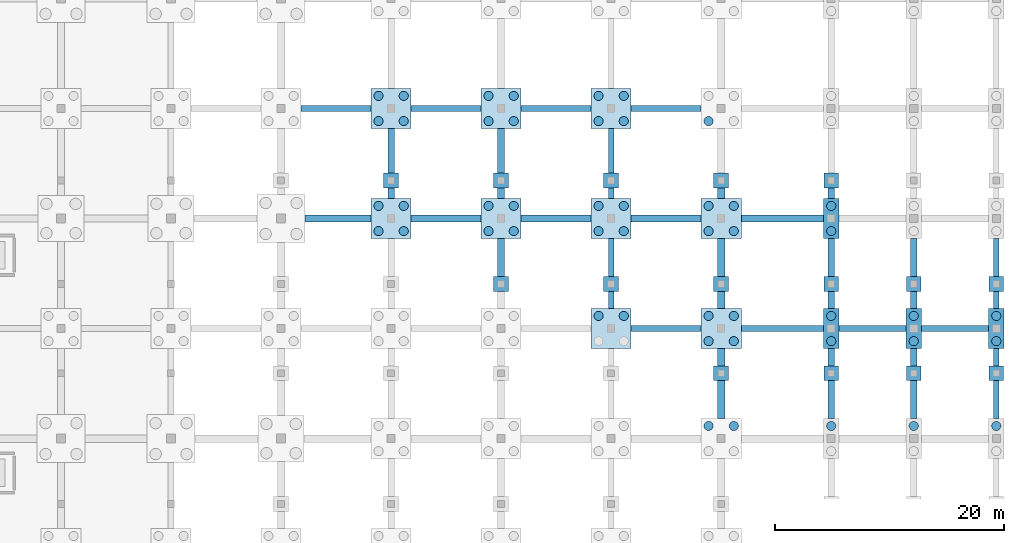
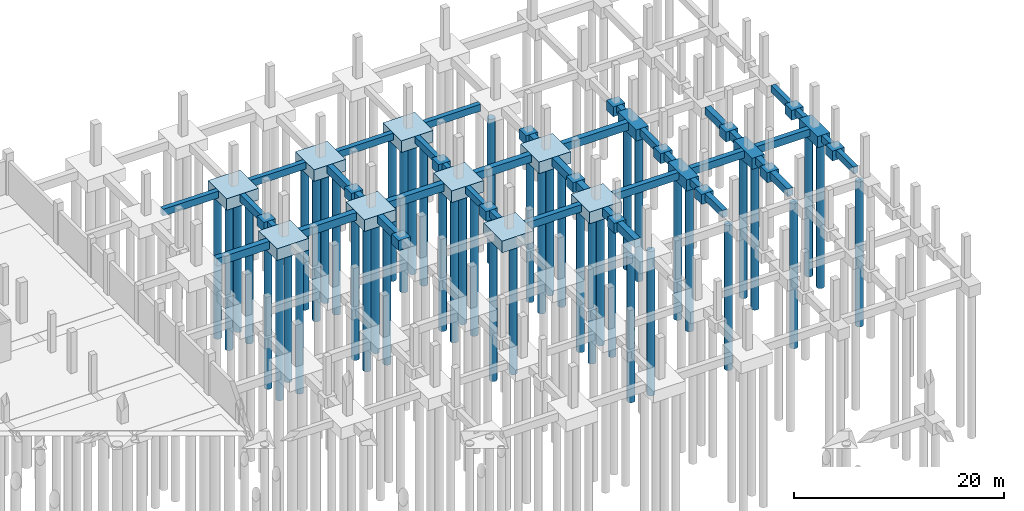
# One storey, part 15 of 39: 68 footings, 48 piles.
"""IFC4 building model written with IfcOpenShell, lengths in metres."""

from ifc_helpers import new_model, si_unit, direction, frame, origin, origin_2d, place, context, subcontext, project, spatial, polyline, rectangle, circle, outline, extrude, material, material_profile, profile_set, type_object, element, save


model = new_model("IFC4")

# Units and contexts
model_context = context("Model", 3, precision=1e-05, world=origin(), true_north=direction((0.0, 1.0)))
body_context = subcontext(model_context, "Body", "Model", "MODEL_VIEW")
ifc_project = project(units=[si_unit("LENGTHUNIT", "METRE"), si_unit("AREAUNIT", "SQUARE_METRE"), si_unit("VOLUMEUNIT", "CUBIC_METRE"), si_unit("PLANEANGLEUNIT", "RADIAN"), si_unit("MASSUNIT", "GRAM", prefix="KILO")], contexts=[model_context])

# Site, building, storey
site_placement = place(None, origin())
site = spatial("IfcSite", under=ifc_project, at=site_placement, CompositionType="ELEMENT")
building_placement = place(site_placement, origin())
building = spatial("IfcBuilding", under=site, at=building_placement, Name="Zarnetskaya Central Station", CompositionType="ELEMENT")
storey_placement = place(building_placement, frame((0.0, 0.0, -4.800048828125)))
storey = spatial("IfcBuildingStorey", under=building, at=storey_placement, Name="B1", CompositionType="ELEMENT", Elevation=-4.800048828125)

# Footings
ifc_material_1 = material(Name="Concrete C30/37", Category="concrete")
footing_type_1 = type_object("IfcFootingType", Name="FB-500x800", PredefinedType="FOOTING_BEAM", material=ifc_material_1)
footing_1_placement = place(storey_placement, frame((0.0, 0.0, -0.800048828125)))
element("IfcFooting", 1, at=footing_1_placement, inside=storey, type_object=footing_type_1, Name="Footing tie beam 14 P-Q", PredefinedType="FOOTING_BEAM", context=body_context, shape_type="SweptSolid", body=[
    extrude(outline(polyline([(126.550048828125, 114.949951171875), (132.64990234375, 114.949951171875), (132.64990234375, 115.449951171875), (126.550048828125, 115.449951171875), (126.550048828125, 114.949951171875)])), origin(), (0.0, 0.0, 1.0), 0.800048828125),
])
footing_2_placement = place(storey_placement, frame((0.0, 0.0, -0.800048828125)))
element("IfcFooting", 2, at=footing_2_placement, inside=storey, type_object=footing_type_1, Name="Footing tie beam 14 Q-R", PredefinedType="FOOTING_BEAM", context=body_context, shape_type="SweptSolid", body=[
    extrude(outline(polyline([(136.14990234375, 114.949951171875), (142.25, 114.949951171875), (142.25, 115.449951171875), (136.14990234375, 115.449951171875), (136.14990234375, 114.949951171875)])), origin(), (0.0, 0.0, 1.0), 0.800048828125),
])
footing_3_placement = place(storey_placement, frame((0.0, 0.0, -0.800048828125)))
element("IfcFooting", 3, at=footing_3_placement, inside=storey, type_object=footing_type_1, Name="Footing tie beam 14 R-S", PredefinedType="FOOTING_BEAM", context=body_context, shape_type="SweptSolid", body=[
    extrude(outline(polyline([(145.75, 114.949951171875), (151.85009765625, 114.949951171875), (151.85009765625, 115.449951171875), (145.75, 115.449951171875), (145.75, 114.949951171875)])), origin(), (0.0, 0.0, 1.0), 0.800048828125),
])
footing_4_placement = place(storey_placement, frame((0.0, 0.0, -0.800048828125)))
element("IfcFooting", 4, at=footing_4_placement, inside=storey, type_object=footing_type_1, Name="Footing tie beam 14 S-T", PredefinedType="FOOTING_BEAM", context=body_context, shape_type="SweptSolid", body=[
    extrude(outline(polyline([(155.35009765625, 114.949951171875), (161.449951171875, 114.949951171875), (161.449951171875, 115.449951171875), (155.35009765625, 115.449951171875), (155.35009765625, 114.949951171875)])), origin(), (0.0, 0.0, 1.0), 0.800048828125),
])
footing_5_placement = place(storey_placement, frame((0.0, 0.0, -0.800048828125)))
element("IfcFooting", 5, at=footing_5_placement, inside=storey, type_object=footing_type_1, Name="Footing tie beam S 12-13 part 1", PredefinedType="FOOTING_BEAM", context=body_context, shape_type="SweptSolid", body=[
    extrude(outline(polyline([(153.35009765625, 97.75), (153.85009765625, 97.75), (153.85009765625, 99.25), (153.35009765625, 99.25), (153.35009765625, 97.75)])), origin(), (0.0, 0.0, 1.0), 0.800048828125),
])
footing_6_placement = place(storey_placement, frame((0.0, 0.0, -0.800048828125)))
element("IfcFooting", 6, at=footing_6_placement, inside=storey, type_object=footing_type_1, Name="Footing tie beam S 12-13 part 2", PredefinedType="FOOTING_BEAM", context=body_context, shape_type="SweptSolid", body=[
    extrude(outline(polyline([(153.35009765625, 100.550048828125), (153.85009765625, 100.550048828125), (153.85009765625, 103.85009765625), (153.35009765625, 103.85009765625), (153.35009765625, 100.550048828125)])), origin(), (0.0, 0.0, 1.0), 0.800048828125),
])
footing_7_placement = place(storey_placement, frame((0.0, 0.0, -0.800048828125)))
element("IfcFooting", 7, at=footing_7_placement, inside=storey, type_object=footing_type_1, Name="Footing tie beam S 13-14 part 1", PredefinedType="FOOTING_BEAM", context=body_context, shape_type="SweptSolid", body=[
    extrude(outline(polyline([(153.35009765625, 107.35009765625), (153.85009765625, 107.35009765625), (153.85009765625, 108.25), (153.35009765625, 108.25), (153.35009765625, 107.35009765625)])), origin(), (0.0, 0.0, 1.0), 0.800048828125),
])
footing_8_placement = place(storey_placement, frame((0.0, 0.0, -0.800048828125)))
element("IfcFooting", 8, at=footing_8_placement, inside=storey, type_object=footing_type_1, Name="Footing tie beam S 13-14 part 2", PredefinedType="FOOTING_BEAM", context=body_context, shape_type="SweptSolid", body=[
    extrude(outline(polyline([(153.35009765625, 109.550048828125), (153.85009765625, 109.550048828125), (153.85009765625, 113.449951171875), (153.35009765625, 113.449951171875), (153.35009765625, 109.550048828125)])), origin(), (0.0, 0.0, 1.0), 0.800048828125),
])
footing_9_placement = place(storey_placement, frame((0.0, 0.0, -0.800048828125)))
element("IfcFooting", 9, at=footing_9_placement, inside=storey, type_object=footing_type_1, Name="Footing tie beam W 11-12 part 1", PredefinedType="FOOTING_BEAM", context=body_context, shape_type="SweptSolid", body=[
    extrude(outline(polyline([(186.949951171875, 88.14990234375), (187.449951171875, 88.14990234375), (187.449951171875, 91.449951171875), (186.949951171875, 91.449951171875), (186.949951171875, 88.14990234375)])), origin(), (0.0, 0.0, 1.0), 0.800048828125),
])
footing_10_placement = place(storey_placement, frame((0.0, 0.0, -0.800048828125)))
element("IfcFooting", 10, at=footing_10_placement, inside=storey, type_object=footing_type_1, Name="Footing tie beam W 11-12 part 2", PredefinedType="FOOTING_BEAM", context=body_context, shape_type="SweptSolid", body=[
    extrude(outline(polyline([(186.949951171875, 92.75), (187.449951171875, 92.75), (187.449951171875, 94.25), (186.949951171875, 94.25), (186.949951171875, 92.75)])), origin(), (0.0, 0.0, 1.0), 0.800048828125),
])
footing_11_placement = place(storey_placement, frame((0.0, 0.0, -0.800048828125)))
element("IfcFooting", 11, at=footing_11_placement, inside=storey, type_object=footing_type_1, Name="Footing tie beam W 12-13 part 1", PredefinedType="FOOTING_BEAM", context=body_context, shape_type="SweptSolid", body=[
    extrude(outline(polyline([(186.949951171875, 97.75), (187.449951171875, 97.75), (187.449951171875, 99.25), (186.949951171875, 99.25), (186.949951171875, 97.75)])), origin(), (0.0, 0.0, 1.0), 0.800048828125),
])
footing_12_placement = place(storey_placement, frame((0.0, 0.0, -0.800048828125)))
element("IfcFooting", 12, at=footing_12_placement, inside=storey, type_object=footing_type_1, Name="Footing tie beam W 12-13 part 2", PredefinedType="FOOTING_BEAM", context=body_context, shape_type="SweptSolid", body=[
    extrude(outline(polyline([(186.949951171875, 100.550048828125), (187.449951171875, 100.550048828125), (187.449951171875, 103.85009765625), (186.949951171875, 103.85009765625), (186.949951171875, 100.550048828125)])), origin(), (0.0, 0.0, 1.0), 0.800048828125),
])
footing_type_2 = type_object("IfcFootingType", Name="FB-550x850", PredefinedType="FOOTING_BEAM", material=ifc_material_1)
footing_13_placement = place(storey_placement, frame((0.0, 0.0, -0.849853515625)))
element("IfcFooting", 13, at=footing_13_placement, inside=storey, type_object=footing_type_2, Name="Footing tie beam 12 S-T", PredefinedType="FOOTING_BEAM", context=body_context, shape_type="SweptSolid", body=[
    extrude(outline(polyline([(155.35009765625, 95.72509765625), (161.449951171875, 95.72509765625), (161.449951171875, 96.27490234375), (155.35009765625, 96.27490234375), (155.35009765625, 95.72509765625)])), origin(), (0.0, 0.0, 1.0), 0.849853515625),
])
footing_14_placement = place(storey_placement, frame((0.0, 0.0, -0.849853515625)))
element("IfcFooting", 14, at=footing_14_placement, inside=storey, type_object=footing_type_2, Name="Footing tie beam 12 T-U", PredefinedType="FOOTING_BEAM", context=body_context, shape_type="SweptSolid", body=[
    extrude(outline(polyline([(164.949951171875, 95.72509765625), (172.125, 95.72509765625), (172.125, 96.27490234375), (164.949951171875, 96.27490234375), (164.949951171875, 95.72509765625)])), origin(), (0.0, 0.0, 1.0), 0.849853515625),
])
footing_15_placement = place(storey_placement, frame((0.0, 0.0, -0.849853515625)))
element("IfcFooting", 15, at=footing_15_placement, inside=storey, type_object=footing_type_2, Name="Footing tie beam 12 U-V", PredefinedType="FOOTING_BEAM", context=body_context, shape_type="SweptSolid", body=[
    extrude(outline(polyline([(173.47509765625, 95.72509765625), (179.324951171875, 95.72509765625), (179.324951171875, 96.27490234375), (173.47509765625, 96.27490234375), (173.47509765625, 95.72509765625)])), origin(), (0.0, 0.0, 1.0), 0.849853515625),
])
footing_16_placement = place(storey_placement, frame((0.0, 0.0, -0.849853515625)))
element("IfcFooting", 16, at=footing_16_placement, inside=storey, type_object=footing_type_2, Name="Footing tie beam 12 V-W", PredefinedType="FOOTING_BEAM", context=body_context, shape_type="SweptSolid", body=[
    extrude(outline(polyline([(180.675048828125, 95.72509765625), (186.52490234375, 95.72509765625), (186.52490234375, 96.27490234375), (180.675048828125, 96.27490234375), (180.675048828125, 95.72509765625)])), origin(), (0.0, 0.0, 1.0), 0.849853515625),
])
footing_17_placement = place(storey_placement, frame((0.0, 0.0, -0.849853515625)))
element("IfcFooting", 17, at=footing_17_placement, inside=storey, type_object=footing_type_2, Name="Footing tie beam Q 13-14 part 1", PredefinedType="FOOTING_BEAM", context=body_context, shape_type="SweptSolid", body=[
    extrude(outline(polyline([(134.125, 107.35009765625), (134.675048828125, 107.35009765625), (134.675048828125, 108.25), (134.125, 108.25), (134.125, 107.35009765625)])), origin(), (0.0, 0.0, 1.0), 0.849853515625),
])
footing_18_placement = place(storey_placement, frame((0.0, 0.0, -0.849853515625)))
element("IfcFooting", 18, at=footing_18_placement, inside=storey, type_object=footing_type_2, Name="Footing tie beam Q 13-14 part 2", PredefinedType="FOOTING_BEAM", context=body_context, shape_type="SweptSolid", body=[
    extrude(outline(polyline([(134.125, 109.550048828125), (134.675048828125, 109.550048828125), (134.675048828125, 113.449951171875), (134.125, 113.449951171875), (134.125, 109.550048828125)])), origin(), (0.0, 0.0, 1.0), 0.849853515625),
])
footing_19_placement = place(storey_placement, frame((0.0, 0.0, -0.849853515625)))
element("IfcFooting", 19, at=footing_19_placement, inside=storey, type_object=footing_type_2, Name="Footing tie beam U 11-12 part 1", PredefinedType="FOOTING_BEAM", context=body_context, shape_type="SweptSolid", body=[
    extrude(outline(polyline([(172.52490234375, 88.14990234375), (173.074951171875, 88.14990234375), (173.074951171875, 91.449951171875), (172.52490234375, 91.449951171875), (172.52490234375, 88.14990234375)])), origin(), (0.0, 0.0, 1.0), 0.849853515625),
])
footing_20_placement = place(storey_placement, frame((0.0, 0.0, -0.849853515625)))
element("IfcFooting", 20, at=footing_20_placement, inside=storey, type_object=footing_type_2, Name="Footing tie beam U 11-12 part 2", PredefinedType="FOOTING_BEAM", context=body_context, shape_type="SweptSolid", body=[
    extrude(outline(polyline([(172.52490234375, 92.75), (173.074951171875, 92.75), (173.074951171875, 94.25), (172.52490234375, 94.25), (172.52490234375, 92.75)])), origin(), (0.0, 0.0, 1.0), 0.849853515625),
])
footing_21_placement = place(storey_placement, frame((0.0, 0.0, -0.849853515625)))
element("IfcFooting", 21, at=footing_21_placement, inside=storey, type_object=footing_type_2, Name="Footing tie beam U 12-13 part 1", PredefinedType="FOOTING_BEAM", context=body_context, shape_type="SweptSolid", body=[
    extrude(outline(polyline([(172.52490234375, 97.75), (173.074951171875, 97.75), (173.074951171875, 99.25), (172.52490234375, 99.25), (172.52490234375, 97.75)])), origin(), (0.0, 0.0, 1.0), 0.849853515625),
])
footing_22_placement = place(storey_placement, frame((0.0, 0.0, -0.849853515625)))
element("IfcFooting", 22, at=footing_22_placement, inside=storey, type_object=footing_type_2, Name="Footing tie beam U 12-13 part 2", PredefinedType="FOOTING_BEAM", context=body_context, shape_type="SweptSolid", body=[
    extrude(outline(polyline([(172.52490234375, 100.550048828125), (173.074951171875, 100.550048828125), (173.074951171875, 103.85009765625), (172.52490234375, 103.85009765625), (172.52490234375, 100.550048828125)])), origin(), (0.0, 0.0, 1.0), 0.849853515625),
])
footing_23_placement = place(storey_placement, frame((0.0, 0.0, -0.849853515625)))
element("IfcFooting", 23, at=footing_23_placement, inside=storey, type_object=footing_type_2, Name="Footing tie beam U 13-14 part 1", PredefinedType="FOOTING_BEAM", context=body_context, shape_type="SweptSolid", body=[
    extrude(outline(polyline([(172.52490234375, 107.35009765625), (173.074951171875, 107.35009765625), (173.074951171875, 108.25), (172.52490234375, 108.25), (172.52490234375, 107.35009765625)])), origin(), (0.0, 0.0, 1.0), 0.849853515625),
])
footing_type_3 = type_object("IfcFootingType", Name="FB-600x900", PredefinedType="FOOTING_BEAM", material=ifc_material_1)
footing_24_placement = place(storey_placement, frame((0.0, 0.0, -0.89990234375)))
element("IfcFooting", 24, at=footing_24_placement, inside=storey, type_object=footing_type_3, Name="Footing tie beam 13 P-Q", PredefinedType="FOOTING_BEAM", context=body_context, shape_type="SweptSolid", body=[
    extrude(outline(polyline([(126.89990234375, 105.300048828125), (132.64990234375, 105.300048828125), (132.64990234375, 105.89990234375), (126.89990234375, 105.89990234375), (126.89990234375, 105.300048828125)])), origin(), (0.0, 0.0, 1.0), 0.89990234375),
])
footing_25_placement = place(storey_placement, frame((0.0, 0.0, -0.89990234375)))
element("IfcFooting", 25, at=footing_25_placement, inside=storey, type_object=footing_type_3, Name="Footing tie beam 13 Q-R", PredefinedType="FOOTING_BEAM", context=body_context, shape_type="SweptSolid", body=[
    extrude(outline(polyline([(136.14990234375, 105.300048828125), (142.25, 105.300048828125), (142.25, 105.89990234375), (136.14990234375, 105.89990234375), (136.14990234375, 105.300048828125)])), origin(), (0.0, 0.0, 1.0), 0.89990234375),
])
footing_26_placement = place(storey_placement, frame((0.0, 0.0, -0.89990234375)))
element("IfcFooting", 26, at=footing_26_placement, inside=storey, type_object=footing_type_3, Name="Footing tie beam 13 R-S", PredefinedType="FOOTING_BEAM", context=body_context, shape_type="SweptSolid", body=[
    extrude(outline(polyline([(145.75, 105.300048828125), (151.85009765625, 105.300048828125), (151.85009765625, 105.89990234375), (145.75, 105.89990234375), (145.75, 105.300048828125)])), origin(), (0.0, 0.0, 1.0), 0.89990234375),
])
footing_27_placement = place(storey_placement, frame((0.0, 0.0, -0.89990234375)))
element("IfcFooting", 27, at=footing_27_placement, inside=storey, type_object=footing_type_3, Name="Footing tie beam 13 S-T", PredefinedType="FOOTING_BEAM", context=body_context, shape_type="SweptSolid", body=[
    extrude(outline(polyline([(155.35009765625, 105.300048828125), (161.449951171875, 105.300048828125), (161.449951171875, 105.89990234375), (155.35009765625, 105.89990234375), (155.35009765625, 105.300048828125)])), origin(), (0.0, 0.0, 1.0), 0.89990234375),
])
footing_28_placement = place(storey_placement, frame((0.0, 0.0, -0.89990234375)))
element("IfcFooting", 28, at=footing_28_placement, inside=storey, type_object=footing_type_3, Name="Footing tie beam 13 T-U", PredefinedType="FOOTING_BEAM", context=body_context, shape_type="SweptSolid", body=[
    extrude(outline(polyline([(164.949951171875, 105.300048828125), (172.125, 105.300048828125), (172.125, 105.89990234375), (164.949951171875, 105.89990234375), (164.949951171875, 105.300048828125)])), origin(), (0.0, 0.0, 1.0), 0.89990234375),
])
footing_29_placement = place(storey_placement, frame((0.0, 0.0, -0.89990234375)))
element("IfcFooting", 29, at=footing_29_placement, inside=storey, type_object=footing_type_3, Name="Footing tie beam R 12-13 part 2", PredefinedType="FOOTING_BEAM", context=body_context, shape_type="SweptSolid", body=[
    extrude(outline(polyline([(143.699951171875, 100.550048828125), (144.300048828125, 100.550048828125), (144.300048828125, 103.85009765625), (143.699951171875, 103.85009765625), (143.699951171875, 100.550048828125)])), origin(), (0.0, 0.0, 1.0), 0.89990234375),
])
footing_30_placement = place(storey_placement, frame((0.0, 0.0, -0.89990234375)))
element("IfcFooting", 30, at=footing_30_placement, inside=storey, type_object=footing_type_3, Name="Footing tie beam R 13-14 part 1", PredefinedType="FOOTING_BEAM", context=body_context, shape_type="SweptSolid", body=[
    extrude(outline(polyline([(143.699951171875, 107.35009765625), (144.300048828125, 107.35009765625), (144.300048828125, 108.25), (143.699951171875, 108.25), (143.699951171875, 107.35009765625)])), origin(), (0.0, 0.0, 1.0), 0.89990234375),
])
footing_31_placement = place(storey_placement, frame((0.0, 0.0, -0.89990234375)))
element("IfcFooting", 31, at=footing_31_placement, inside=storey, type_object=footing_type_3, Name="Footing tie beam R 13-14 part 2", PredefinedType="FOOTING_BEAM", context=body_context, shape_type="SweptSolid", body=[
    extrude(outline(polyline([(143.699951171875, 109.550048828125), (144.300048828125, 109.550048828125), (144.300048828125, 113.449951171875), (143.699951171875, 113.449951171875), (143.699951171875, 109.550048828125)])), origin(), (0.0, 0.0, 1.0), 0.89990234375),
])
footing_32_placement = place(storey_placement, frame((0.0, 0.0, -0.89990234375)))
element("IfcFooting", 32, at=footing_32_placement, inside=storey, type_object=footing_type_3, Name="Footing tie beam V 11-12 part 1", PredefinedType="FOOTING_BEAM", context=body_context, shape_type="SweptSolid", body=[
    extrude(outline(polyline([(179.699951171875, 88.14990234375), (180.300048828125, 88.14990234375), (180.300048828125, 91.449951171875), (179.699951171875, 91.449951171875), (179.699951171875, 88.14990234375)])), origin(), (0.0, 0.0, 1.0), 0.89990234375),
])
footing_33_placement = place(storey_placement, frame((0.0, 0.0, -0.89990234375)))
element("IfcFooting", 33, at=footing_33_placement, inside=storey, type_object=footing_type_3, Name="Footing tie beam V 11-12 part 2", PredefinedType="FOOTING_BEAM", context=body_context, shape_type="SweptSolid", body=[
    extrude(outline(polyline([(179.699951171875, 92.75), (180.300048828125, 92.75), (180.300048828125, 94.25), (179.699951171875, 94.25), (179.699951171875, 92.75)])), origin(), (0.0, 0.0, 1.0), 0.89990234375),
])
footing_34_placement = place(storey_placement, frame((0.0, 0.0, -0.89990234375)))
element("IfcFooting", 34, at=footing_34_placement, inside=storey, type_object=footing_type_3, Name="Footing tie beam V 12-13 part 1", PredefinedType="FOOTING_BEAM", context=body_context, shape_type="SweptSolid", body=[
    extrude(outline(polyline([(179.699951171875, 97.75), (180.300048828125, 97.75), (180.300048828125, 99.25), (179.699951171875, 99.25), (179.699951171875, 97.75)])), origin(), (0.0, 0.0, 1.0), 0.89990234375),
])
footing_35_placement = place(storey_placement, frame((0.0, 0.0, -0.89990234375)))
element("IfcFooting", 35, at=footing_35_placement, inside=storey, type_object=footing_type_3, Name="Footing tie beam V 12-13 part 2", PredefinedType="FOOTING_BEAM", context=body_context, shape_type="SweptSolid", body=[
    extrude(outline(polyline([(179.699951171875, 100.550048828125), (180.300048828125, 100.550048828125), (180.300048828125, 103.85009765625), (179.699951171875, 103.85009765625), (179.699951171875, 100.550048828125)])), origin(), (0.0, 0.0, 1.0), 0.89990234375),
])
footing_type_4 = type_object("IfcFootingType", Name="FB-650x950", PredefinedType="FOOTING_BEAM", material=ifc_material_1)
footing_36_placement = place(storey_placement, frame((0.0, 0.0, -0.949951171875)))
element("IfcFooting", 36, at=footing_36_placement, inside=storey, type_object=footing_type_4, Name="Footing tie beam T 11-12 part 1", PredefinedType="FOOTING_BEAM", context=body_context, shape_type="SweptSolid", body=[
    extrude(outline(polyline([(162.875, 88.14990234375), (163.52490234375, 88.14990234375), (163.52490234375, 91.449951171875), (162.875, 91.449951171875), (162.875, 88.14990234375)])), origin(), (0.0, 0.0, 1.0), 0.949951171875),
])
footing_37_placement = place(storey_placement, frame((0.0, 0.0, -0.949951171875)))
element("IfcFooting", 37, at=footing_37_placement, inside=storey, type_object=footing_type_4, Name="Footing tie beam T 11-12 part 2", PredefinedType="FOOTING_BEAM", context=body_context, shape_type="SweptSolid", body=[
    extrude(outline(polyline([(162.875, 92.75), (163.52490234375, 92.75), (163.52490234375, 94.25), (162.875, 94.25), (162.875, 92.75)])), origin(), (0.0, 0.0, 1.0), 0.949951171875),
])
footing_38_placement = place(storey_placement, frame((0.0, 0.0, -0.949951171875)))
element("IfcFooting", 38, at=footing_38_placement, inside=storey, type_object=footing_type_4, Name="Footing tie beam T 12-13 part 1", PredefinedType="FOOTING_BEAM", context=body_context, shape_type="SweptSolid", body=[
    extrude(outline(polyline([(162.875, 97.75), (163.52490234375, 97.75), (163.52490234375, 99.25), (162.875, 99.25), (162.875, 97.75)])), origin(), (0.0, 0.0, 1.0), 0.949951171875),
])
footing_39_placement = place(storey_placement, frame((0.0, 0.0, -0.949951171875)))
element("IfcFooting", 39, at=footing_39_placement, inside=storey, type_object=footing_type_4, Name="Footing tie beam T 12-13 part 2", PredefinedType="FOOTING_BEAM", context=body_context, shape_type="SweptSolid", body=[
    extrude(outline(polyline([(162.875, 100.550048828125), (163.52490234375, 100.550048828125), (163.52490234375, 103.85009765625), (162.875, 103.85009765625), (162.875, 100.550048828125)])), origin(), (0.0, 0.0, 1.0), 0.949951171875),
])
footing_40_placement = place(storey_placement, frame((0.0, 0.0, -0.949951171875)))
element("IfcFooting", 40, at=footing_40_placement, inside=storey, type_object=footing_type_4, Name="Footing tie beam T 13-14 part 1", PredefinedType="FOOTING_BEAM", context=body_context, shape_type="SweptSolid", body=[
    extrude(outline(polyline([(162.875, 107.35009765625), (163.52490234375, 107.35009765625), (163.52490234375, 108.25), (162.875, 108.25), (162.875, 107.35009765625)])), origin(), (0.0, 0.0, 1.0), 0.949951171875),
])
ifc_material_2 = material(Name="Concrete C35/45", Category="concrete")
footing_type_5 = type_object("IfcFootingType", Name="PAD-PIER-130", PredefinedType="PAD_FOOTING", material=ifc_material_2)
for number, where, z_axis, x_axis, name in (
    (41, (163.199951171875, 92.10009765625, -1.14990234375), (0.0, 0.0, 1.0), (1.0, 0.0, 0.0), "Platform pier pad P2-TN"),
    (42, (172.800048828125, 92.10009765625, -1.14990234375), (0.0, 0.0, 1.0), (1.0, 0.0, 0.0), "Platform pier pad P2-UN"),
    (43, (180.0, 92.10009765625, -1.14990234375), (0.0, 0.0, 1.0), (1.0, 0.0, 0.0), "Platform pier pad P2-VN"),
    (44, (187.199951171875, 92.10009765625, -1.14990234375), (0.0, 0.0, 1.0), (1.0, 0.0, 0.0), "Platform pier pad P2-WN"),
    (45, (134.39990234375, 108.89990234375, -1.14990234375), (0.0, 0.0, 1.0), (1.0, 0.0, 0.0), "Platform pier pad P3-QN"),
    (46, (144.0, 99.89990234375, -1.14990234375), (0.0, 0.0, 1.0), (1.0, 0.0, 0.0), "Platform pier pad P3-RS"),
    (47, (144.0, 108.89990234375, -1.14990234375), (0.0, 0.0, 1.0), (1.0, 0.0, 0.0), "Platform pier pad P3-RN"),
    (48, (153.60009765625, 99.89990234375, -1.14990234375), (0.0, 0.0, 1.0), (1.0, 0.0, 0.0), "Platform pier pad P3-SS"),
    (49, (153.60009765625, 108.89990234375, -1.14990234375), (0.0, 0.0, 1.0), (1.0, 0.0, 0.0), "Platform pier pad P3-SN"),
    (50, (163.199951171875, 99.89990234375, -1.14990234375), (0.0, 0.0, 1.0), (1.0, 0.0, 0.0), "Platform pier pad P3-TS"),
    (51, (163.199951171875, 108.89990234375, -1.14990234375), (0.0, 0.0, 1.0), (1.0, 0.0, 0.0), "Platform pier pad P3-TN"),
    (52, (172.800048828125, 99.89990234375, -1.14990234375), (0.0, 0.0, 1.0), (1.0, 0.0, 0.0), "Platform pier pad P3-US"),
    (53, (172.800048828125, 108.89990234375, -1.14990234375), (0.0, 0.0, 1.0), (1.0, 0.0, 0.0), "Platform pier pad P3-UN"),
    (54, (180.0, 99.89990234375, -1.14990234375), (0.0, 0.0, 1.0), (1.0, 0.0, 0.0), "Platform pier pad P3-VS"),
    (55, (187.199951171875, 99.89990234375, -1.14990234375), (0.0, 0.0, 1.0), (1.0, 0.0, 0.0), "Platform pier pad P3-WS"),
):
    element("IfcFooting", number, at=place(storey_placement, frame(where, z_axis=z_axis, x_axis=x_axis)), inside=storey, type_object=footing_type_5, Name=name, PredefinedType="PAD_FOOTING", context=body_context, shape_type="SweptSolid", body=[
        extrude(rectangle(XDim=1.300048828125, YDim=1.300048828125, at=origin_2d()), origin(), (0.0, 0.0, 1.0), 1.14990234375),
    ])
footing_type_6 = type_object("IfcFootingType", Name="PC-2P-800Y", PredefinedType="PILE_CAP", material=ifc_material_2)
for number, where, z_axis, x_axis, name in (
    (56, (172.800048828125, 96.0, -1.2998046875), (0.0, 0.0, 1.0), (1.0, 0.0, 0.0), "Pile cap U12"),
    (57, (172.800048828125, 105.60009765625, -1.2998046875), (0.0, 0.0, 1.0), (1.0, 0.0, 0.0), "Pile cap U13"),
    (58, (180.0, 96.0, -1.2998046875), (0.0, 0.0, 1.0), (1.0, 0.0, 0.0), "Pile cap V12"),
    (59, (187.199951171875, 96.0, -1.2998046875), (0.0, 0.0, 1.0), (1.0, 0.0, 0.0), "Pile cap W12"),
):
    element("IfcFooting", number, at=place(storey_placement, frame(where, z_axis=z_axis, x_axis=x_axis)), inside=storey, type_object=footing_type_6, Name=name, PredefinedType="PILE_CAP", context=body_context, shape_type="SweptSolid", body=[
        extrude(rectangle(XDim=1.35009765625, YDim=3.5, at=origin_2d()), origin(), (0.0, 0.0, 1.0), 1.300048828125),
    ])
footing_type_7 = type_object("IfcFootingType", Name="PC-4P-800A", PredefinedType="PILE_CAP", material=ifc_material_2)
for number, where, z_axis, x_axis, name in (
    (60, (134.39990234375, 105.60009765625, -1.35009765625), (0.0, 0.0, 1.0), (1.0, 0.0, 0.0), "Pile cap Q13"),
    (61, (134.39990234375, 115.199951171875, -1.35009765625), (0.0, 0.0, 1.0), (1.0, 0.0, 0.0), "Pile cap Q14"),
    (62, (144.0, 105.60009765625, -1.35009765625), (0.0, 0.0, 1.0), (1.0, 0.0, 0.0), "Pile cap R13"),
    (63, (144.0, 115.199951171875, -1.35009765625), (0.0, 0.0, 1.0), (1.0, 0.0, 0.0), "Pile cap R14"),
    (64, (153.60009765625, 96.0, -1.35009765625), (0.0, 0.0, 1.0), (1.0, 0.0, 0.0), "Pile cap S12"),
    (65, (153.60009765625, 105.60009765625, -1.35009765625), (0.0, 0.0, 1.0), (1.0, 0.0, 0.0), "Pile cap S13"),
    (66, (153.60009765625, 115.199951171875, -1.35009765625), (0.0, 0.0, 1.0), (1.0, 0.0, 0.0), "Pile cap S14"),
    (67, (163.199951171875, 96.0, -1.35009765625), (0.0, 0.0, 1.0), (1.0, 0.0, 0.0), "Pile cap T12"),
    (68, (163.199951171875, 105.60009765625, -1.35009765625), (0.0, 0.0, 1.0), (1.0, 0.0, 0.0), "Pile cap T13"),
):
    element("IfcFooting", number, at=place(storey_placement, frame(where, z_axis=z_axis, x_axis=x_axis)), inside=storey, type_object=footing_type_7, Name=name, PredefinedType="PILE_CAP", context=body_context, shape_type="SweptSolid", body=[
        extrude(rectangle(XDim=3.5, YDim=3.5, at=origin_2d()), origin(), (0.0, 0.0, 1.0), 1.35009765625),
    ])

# Piles
ifc_material_profile = material_profile(ifc_material_2, circle(Radius=0.39990234375, at=origin_2d()), Name="BORED PILE D800")
ifc_profile_set = profile_set([ifc_material_profile], Name="Concrete C35/45")
pile_type = type_object("IfcPileType", Name="PILE-D800", PredefinedType="BORED", material=ifc_profile_set)
for number, where, z_axis, x_axis, name in (
    (69, (133.300048828125, 104.5, -1.199951171875), (0.0, 0.0, -1.0), (1.0, 0.0, 0.0), "Bored pile Q13-11"),
    (70, (133.300048828125, 106.699951171875, -1.199951171875), (0.0, 0.0, -1.0), (1.0, 0.0, 0.0), "Bored pile Q13-12"),
    (71, (135.5, 104.5, -1.199951171875), (0.0, 0.0, -1.0), (1.0, 0.0, 0.0), "Bored pile Q13-21"),
    (72, (135.5, 106.699951171875, -1.199951171875), (0.0, 0.0, -1.0), (1.0, 0.0, 0.0), "Bored pile Q13-22"),
    (73, (133.300048828125, 114.10009765625, -1.199951171875), (0.0, 0.0, -1.0), (1.0, 0.0, 0.0), "Bored pile Q14-11"),
    (74, (133.300048828125, 116.300048828125, -1.199951171875), (0.0, 0.0, -1.0), (1.0, 0.0, 0.0), "Bored pile Q14-12"),
    (75, (135.5, 114.10009765625, -1.199951171875), (0.0, 0.0, -1.0), (1.0, 0.0, 0.0), "Bored pile Q14-21"),
    (76, (135.5, 116.300048828125, -1.199951171875), (0.0, 0.0, -1.0), (1.0, 0.0, 0.0), "Bored pile Q14-22"),
    (77, (142.89990234375, 104.5, -1.199951171875), (0.0, 0.0, -1.0), (1.0, 0.0, 0.0), "Bored pile R13-11"),
    (78, (142.89990234375, 106.699951171875, -1.199951171875), (0.0, 0.0, -1.0), (1.0, 0.0, 0.0), "Bored pile R13-12"),
    (79, (145.10009765625, 104.5, -1.199951171875), (0.0, 0.0, -1.0), (1.0, 0.0, 0.0), "Bored pile R13-21"),
    (80, (145.10009765625, 106.699951171875, -1.199951171875), (0.0, 0.0, -1.0), (1.0, 0.0, 0.0), "Bored pile R13-22"),
    (81, (142.89990234375, 114.10009765625, -1.199951171875), (0.0, 0.0, -1.0), (1.0, 0.0, 0.0), "Bored pile R14-11"),
    (82, (142.89990234375, 116.300048828125, -1.199951171875), (0.0, 0.0, -1.0), (1.0, 0.0, 0.0), "Bored pile R14-12"),
    (83, (145.10009765625, 114.10009765625, -1.199951171875), (0.0, 0.0, -1.0), (1.0, 0.0, 0.0), "Bored pile R14-21"),
    (84, (145.10009765625, 116.300048828125, -1.199951171875), (0.0, 0.0, -1.0), (1.0, 0.0, 0.0), "Bored pile R14-22"),
    (85, (152.5, 97.10009765625, -1.199951171875), (0.0, 0.0, -1.0), (1.0, 0.0, 0.0), "Bored pile S12-12"),
    (86, (154.699951171875, 97.10009765625, -1.199951171875), (0.0, 0.0, -1.0), (1.0, 0.0, 0.0), "Bored pile S12-22"),
    (87, (152.5, 104.5, -1.199951171875), (0.0, 0.0, -1.0), (1.0, 0.0, 0.0), "Bored pile S13-11"),
    (88, (152.5, 106.699951171875, -1.199951171875), (0.0, 0.0, -1.0), (1.0, 0.0, 0.0), "Bored pile S13-12"),
    (89, (154.699951171875, 104.5, -1.199951171875), (0.0, 0.0, -1.0), (1.0, 0.0, 0.0), "Bored pile S13-21"),
    (90, (154.699951171875, 106.699951171875, -1.199951171875), (0.0, 0.0, -1.0), (1.0, 0.0, 0.0), "Bored pile S13-22"),
    (91, (152.5, 114.10009765625, -1.199951171875), (0.0, 0.0, -1.0), (1.0, 0.0, 0.0), "Bored pile S14-11"),
    (92, (152.5, 116.300048828125, -1.199951171875), (0.0, 0.0, -1.0), (1.0, 0.0, 0.0), "Bored pile S14-12"),
    (93, (154.699951171875, 114.10009765625, -1.199951171875), (0.0, 0.0, -1.0), (1.0, 0.0, 0.0), "Bored pile S14-21"),
    (94, (154.699951171875, 116.300048828125, -1.199951171875), (0.0, 0.0, -1.0), (1.0, 0.0, 0.0), "Bored pile S14-22"),
    (95, (162.10009765625, 87.5, -1.199951171875), (0.0, 0.0, -1.0), (1.0, 0.0, 0.0), "Bored pile T11-12"),
    (96, (164.300048828125, 87.5, -1.199951171875), (0.0, 0.0, -1.0), (1.0, 0.0, 0.0), "Bored pile T11-22"),
    (97, (162.10009765625, 94.89990234375, -1.199951171875), (0.0, 0.0, -1.0), (1.0, 0.0, 0.0), "Bored pile T12-11"),
    (98, (162.10009765625, 97.10009765625, -1.199951171875), (0.0, 0.0, -1.0), (1.0, 0.0, 0.0), "Bored pile T12-12"),
    (99, (164.300048828125, 94.89990234375, -1.199951171875), (0.0, 0.0, -1.0), (1.0, 0.0, 0.0), "Bored pile T12-21"),
    (100, (164.300048828125, 97.10009765625, -1.199951171875), (0.0, 0.0, -1.0), (1.0, 0.0, 0.0), "Bored pile T12-22"),
    (101, (162.10009765625, 104.5, -1.199951171875), (0.0, 0.0, -1.0), (1.0, 0.0, 0.0), "Bored pile T13-11"),
    (102, (162.10009765625, 106.699951171875, -1.199951171875), (0.0, 0.0, -1.0), (1.0, 0.0, 0.0), "Bored pile T13-12"),
    (103, (164.300048828125, 104.5, -1.199951171875), (0.0, 0.0, -1.0), (1.0, 0.0, 0.0), "Bored pile T13-21"),
    (104, (164.300048828125, 106.699951171875, -1.199951171875), (0.0, 0.0, -1.0), (1.0, 0.0, 0.0), "Bored pile T13-22"),
    (105, (162.10009765625, 114.10009765625, -1.199951171875), (0.0, 0.0, -1.0), (1.0, 0.0, 0.0), "Bored pile T14-11"),
):
    element("IfcPile", number, at=place(storey_placement, frame(where, z_axis=z_axis, x_axis=x_axis)), inside=storey, type_object=pile_type, Name=name, PredefinedType="BORED", context=body_context, shape_type="SweptSolid", body=[
        extrude(circle(Radius=0.39990234375, at=origin_2d()), origin(), (0.0, 0.0, 1.0), 16.800048828125),
    ])
for number, where, z_axis, x_axis, name in (
    (106, (172.800048828125, 87.5, -1.14990234375), (0.0, 0.0, -1.0), (1.0, 0.0, 0.0), "Bored pile U11-12"),
    (107, (172.800048828125, 94.89990234375, -1.14990234375), (0.0, 0.0, -1.0), (1.0, 0.0, 0.0), "Bored pile U12-11"),
    (108, (172.800048828125, 97.10009765625, -1.14990234375), (0.0, 0.0, -1.0), (1.0, 0.0, 0.0), "Bored pile U12-12"),
    (109, (172.800048828125, 104.5, -1.14990234375), (0.0, 0.0, -1.0), (1.0, 0.0, 0.0), "Bored pile U13-11"),
    (110, (172.800048828125, 106.699951171875, -1.14990234375), (0.0, 0.0, -1.0), (1.0, 0.0, 0.0), "Bored pile U13-12"),
    (111, (180.0, 87.5, -1.14990234375), (0.0, 0.0, -1.0), (1.0, 0.0, 0.0), "Bored pile V11-12"),
    (112, (180.0, 94.89990234375, -1.14990234375), (0.0, 0.0, -1.0), (1.0, 0.0, 0.0), "Bored pile V12-11"),
    (113, (180.0, 97.10009765625, -1.14990234375), (0.0, 0.0, -1.0), (1.0, 0.0, 0.0), "Bored pile V12-12"),
    (114, (187.199951171875, 87.5, -1.14990234375), (0.0, 0.0, -1.0), (1.0, 0.0, 0.0), "Bored pile W11-12"),
    (115, (187.199951171875, 94.89990234375, -1.14990234375), (0.0, 0.0, -1.0), (1.0, 0.0, 0.0), "Bored pile W12-11"),
    (116, (187.199951171875, 97.10009765625, -1.14990234375), (0.0, 0.0, -1.0), (1.0, 0.0, 0.0), "Bored pile W12-12"),
):
    element("IfcPile", number, at=place(storey_placement, frame(where, z_axis=z_axis, x_axis=x_axis)), inside=storey, type_object=pile_type, Name=name, PredefinedType="BORED", context=body_context, shape_type="SweptSolid", body=[
        extrude(circle(Radius=0.39990234375, at=origin_2d()), origin(), (0.0, 0.0, 1.0), 16.85009765625),
    ])

save(model, "model.ifc")
